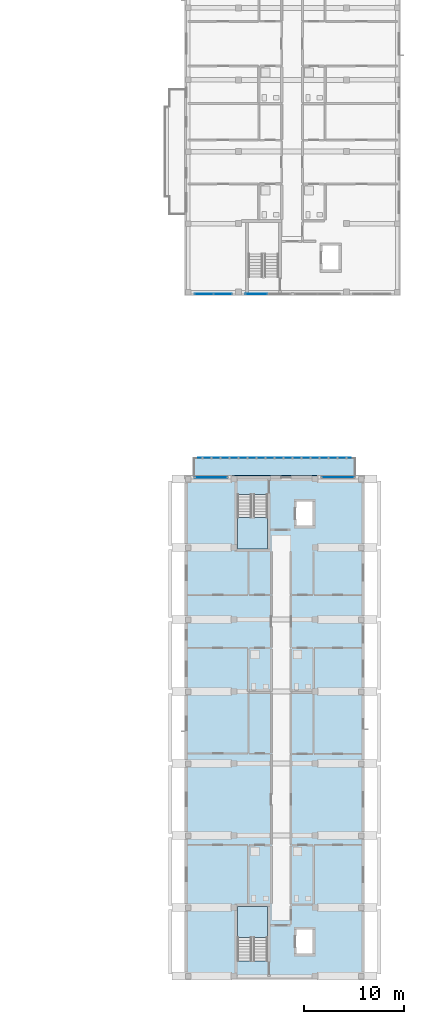
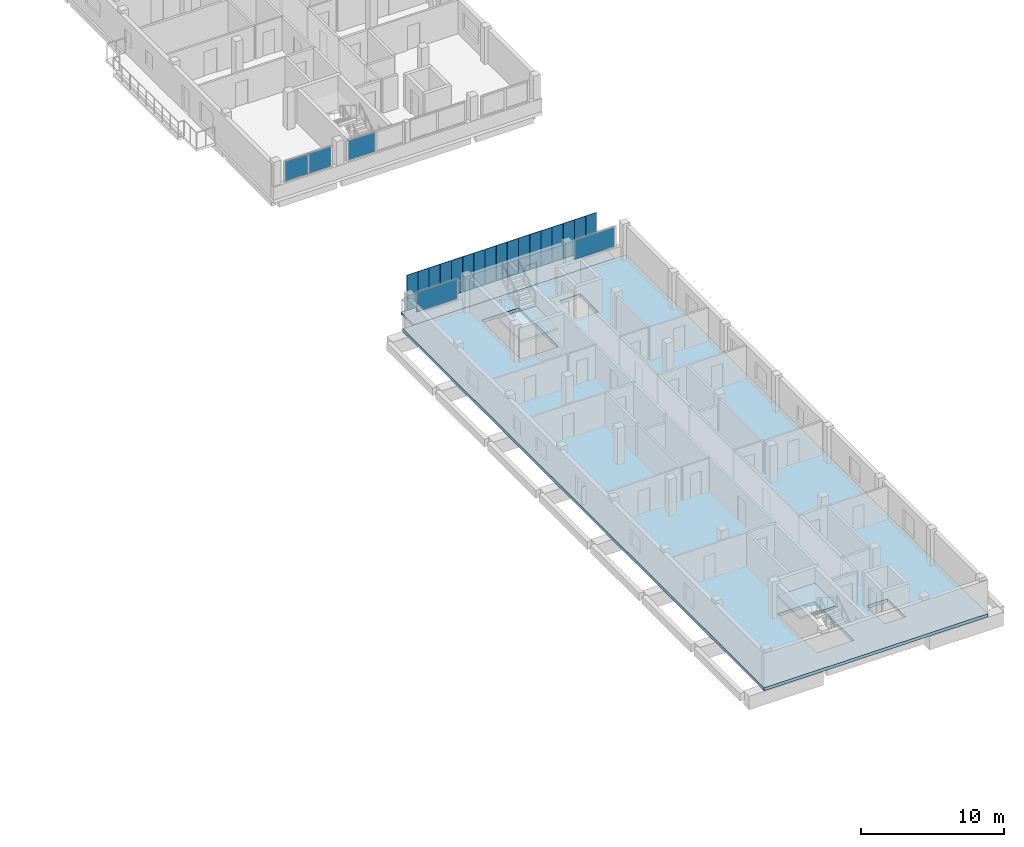
# One storey, part 11 of 41: 22 plates, 4 slabs, 6 elements without a shape of their own.
"""IFC4 building model written with IfcOpenShell, lengths in metres."""

from ifc_helpers import new_model, si_unit, derived_unit, direction, frame, origin, origin_2d, place, context, subcontext, project, spatial, polyline, rectangle, outline, extrude, material, layer, layer_set, type_object, element, aggregate, save


model = new_model("IFC4")

# Units and contexts
model_context = context("Model", 3, precision=1e-05, world=origin(), true_north=direction((0.0, 1.0)))
body_context = subcontext(model_context, "Body", "Model", "MODEL_VIEW")
ifc_project = project(units=[si_unit("LENGTHUNIT", "METRE"), si_unit("AREAUNIT", "SQUARE_METRE"), si_unit("VOLUMEUNIT", "CUBIC_METRE"), si_unit("PLANEANGLEUNIT", "RADIAN"), si_unit("MASSUNIT", "GRAM", prefix="KILO"), derived_unit("THERMALTRANSMITTANCEUNIT", [(si_unit("MASSUNIT", "GRAM", prefix="KILO"), 1), (si_unit("TIMEUNIT", "SECOND"), -3), (si_unit("THERMODYNAMICTEMPERATUREUNIT", "KELVIN"), -1)])], contexts=[model_context])

# Site, building, storey
site_placement = place(None, origin())
site = spatial("IfcSite", under=ifc_project, at=site_placement, CompositionType="ELEMENT")
building_placement = place(site_placement, origin())
building = spatial("IfcBuilding", under=site, at=building_placement, Name="Ochrekiln Boulevard Commons", CompositionType="ELEMENT")
storey_placement = place(building_placement, frame((0.0, 0.0, 21.52490234375)))
storey = spatial("IfcBuildingStorey", under=building, at=storey_placement, Name="L06", CompositionType="ELEMENT", Elevation=21.52490234375)

# Curtain wall, plate
ifc_material_1 = material(Name="Bronze-anodized extruded aluminium 6063-T6", Category="aluminium")
ifc_layer_1 = layer(ifc_material_1, 0.18408203125)
ifc_layer_set_1 = layer_set([ifc_layer_1], Name="Bronze-anodized extruded aluminium 6063-T6")
curtain_wall_type = type_object("IfcCurtainWallType", Name="CW-GABLE-B", PredefinedType="USERDEFINED", material=ifc_layer_set_1)
curtain_wall_1_placement = place(storey_placement, origin())
curtain_wall_1 = element("IfcCurtainWall", 1, at=curtain_wall_1_placement, inside=storey, type_object=curtain_wall_type, Name="Block B L06 Courtyard Glazed Gable Curtain Wall 2", ObjectType="GLAZED CURTAIN WALL", PredefinedType="USERDEFINED")
ifc_material_2 = material(Name="Spectrally selective low-E insulated glazing", Category="glass")
ifc_layer_2 = layer(ifc_material_2, 0.02392578125)
ifc_layer_set_2 = layer_set([ifc_layer_2], Name="Spectrally selective low-E insulated glazing")
plate_type_1 = type_object("IfcPlateType", Name="CWP-GLZ-1", PredefinedType="CURTAIN_PANEL", material=ifc_layer_set_2)
plate_1_placement = place(storey_placement, frame((158.38134765625, 68.570068359375, 1.175048828125), z_axis=(0.0, 0.0, 1.0), x_axis=(1.0, 0.0, 0.0)))
plate_1 = element("IfcPlate", 2, at=plate_1_placement, type_object=plate_type_1, Name="CW-02 panel 1.1", PredefinedType="CURTAIN_PANEL", context=body_context, shape_type="SweptSolid", body=[
    extrude(rectangle(XDim=2.1923828125, YDim=0.02392578125, at=origin_2d()), origin(), (0.0, 0.0, 1.0), 1.64990234375),
])
aggregate(curtain_wall_1, [plate_1])

curtain_wall_2_placement = place(storey_placement, origin())
curtain_wall_2 = element("IfcCurtainWall", 3, at=curtain_wall_2_placement, inside=storey, type_object=curtain_wall_type, Name="Block C L06 Courtyard Glazed Gable Curtain Wall 2", ObjectType="GLAZED CURTAIN WALL", PredefinedType="USERDEFINED")
plate_2_placement = place(storey_placement, frame((166.550048828125, 50.235107421875, 1.175048828125), z_axis=(0.0, 0.0, 1.0), x_axis=(1.0, 0.0, 0.0)))
plate_2 = element("IfcPlate", 4, at=plate_2_placement, type_object=plate_type_1, Name="CW-02 panel 1.1", PredefinedType="CURTAIN_PANEL", context=body_context, shape_type="SweptSolid", body=[
    extrude(rectangle(XDim=3.22998046875, YDim=0.02392578125, at=origin_2d()), origin(), (0.0, 0.0, 1.0), 1.64990234375),
])
aggregate(curtain_wall_2, [plate_2])

# Curtain wall, plates
curtain_wall_3_placement = place(storey_placement, origin())
curtain_wall_3 = element("IfcCurtainWall", 5, at=curtain_wall_3_placement, inside=storey, type_object=curtain_wall_type, Name="Block B L06 Courtyard Glazed Gable Curtain Wall 1", ObjectType="GLAZED CURTAIN WALL", PredefinedType="USERDEFINED")
ifc_layer_3 = layer(ifc_material_2, 0.0419921875)
ifc_layer_set_3 = layer_set([ifc_layer_3], Name="Spectrally selective low-E insulated glazing")
plate_type_2 = type_object("IfcPlateType", Name="CWP-GLZ-4", PredefinedType="CURTAIN_PANEL", material=ifc_layer_set_3)
plate_3_placement = place(storey_placement, frame((153.137451171875, 68.570068359375, 1.169921875), z_axis=(0.0, 0.0, 1.0), x_axis=(1.0, 0.0, 0.0)))
plate_3 = element("IfcPlate", 6, at=plate_3_placement, type_object=plate_type_2, Name="CW-02 panel 1.1", PredefinedType="CURTAIN_PANEL", context=body_context, shape_type="SweptSolid", body=[
    extrude(rectangle(XDim=1.81494140625, YDim=0.0419921875, at=origin_2d()), origin(), (0.0, 0.0, 1.0), 1.659912109375),
])
plate_4_placement = place(storey_placement, frame((155.012451171875, 68.570068359375, 1.169921875), z_axis=(0.0, 0.0, 1.0), x_axis=(1.0, 0.0, 0.0)))
plate_4 = element("IfcPlate", 7, at=plate_4_placement, type_object=plate_type_2, Name="CW-02 panel 2.1", PredefinedType="CURTAIN_PANEL", context=body_context, shape_type="SweptSolid", body=[
    extrude(rectangle(XDim=1.81494140625, YDim=0.0419921875, at=origin_2d()), origin(), (0.0, 0.0, 1.0), 1.659912109375),
])
aggregate(curtain_wall_3, [plate_3, plate_4])

# Curtain wall, plate
curtain_wall_4_placement = place(storey_placement, origin())
curtain_wall_4 = element("IfcCurtainWall", 8, at=curtain_wall_4_placement, inside=storey, type_object=curtain_wall_type, Name="Block C L06 Courtyard Glazed Gable Curtain Wall 1", ObjectType="GLAZED CURTAIN WALL", PredefinedType="USERDEFINED")
plate_5_placement = place(storey_placement, frame((153.85009765625, 50.235107421875, 1.175048828125), z_axis=(0.0, 0.0, 1.0), x_axis=(1.0, 0.0, 0.0)))
plate_5 = element("IfcPlate", 9, at=plate_5_placement, type_object=plate_type_2, Name="CW-02 panel 1.1", PredefinedType="CURTAIN_PANEL", context=body_context, shape_type="SweptSolid", body=[
    extrude(rectangle(XDim=3.22998046875, YDim=0.0419921875, at=origin_2d()), origin(), (0.0, 0.0, 1.0), 1.64990234375),
])
aggregate(curtain_wall_4, [plate_5])

# Plates
ifc_layer_4 = layer(ifc_material_1, 0.0380859375)
ifc_layer_set_4 = layer_set([ifc_layer_4], Name="Bronze-anodized extruded aluminium 6063-T6")
plate_type_3 = type_object("IfcPlateType", Name="PLT-SCR-BRZ-4", PredefinedType="USERDEFINED", material=ifc_layer_set_4)
for number, where, z_axis, x_axis, name in (
    (10, (153.0, 52.18994140625, -0.159912109375), (0.0, 0.0, 1.0), (1.0, 0.0, 0.0), "Block C L06 Perforated Bronze Mesh Screen Panel 1"),
    (11, (153.89990234375, 52.18994140625, -0.159912109375), (0.0, 0.0, 1.0), (1.0, 0.0, 0.0), "Block C L06 Perforated Bronze Mesh Screen Panel 2"),
    (12, (154.800048828125, 52.18994140625, -0.159912109375), (0.0, 0.0, 1.0), (1.0, 0.0, 0.0), "Block C L06 Perforated Bronze Mesh Screen Panel 3"),
    (13, (155.699951171875, 52.18994140625, -0.159912109375), (0.0, 0.0, 1.0), (1.0, 0.0, 0.0), "Block C L06 Perforated Bronze Mesh Screen Panel 4"),
    (14, (156.60009765625, 52.18994140625, -0.159912109375), (0.0, 0.0, 1.0), (1.0, 0.0, 0.0), "Block C L06 Perforated Bronze Mesh Screen Panel 5"),
    (15, (157.5, 52.18994140625, -0.159912109375), (0.0, 0.0, 1.0), (1.0, 0.0, 0.0), "Block C L06 Perforated Bronze Mesh Screen Panel 6"),
    (16, (158.39990234375, 52.18994140625, -0.159912109375), (0.0, 0.0, 1.0), (1.0, 0.0, 0.0), "Block C L06 Perforated Bronze Mesh Screen Panel 7"),
    (17, (159.300048828125, 52.18994140625, -0.159912109375), (0.0, 0.0, 1.0), (1.0, 0.0, 0.0), "Block C L06 Perforated Bronze Mesh Screen Panel 8"),
    (18, (160.199951171875, 52.18994140625, -0.159912109375), (0.0, 0.0, 1.0), (1.0, 0.0, 0.0), "Block C L06 Perforated Bronze Mesh Screen Panel 9"),
    (19, (161.10009765625, 52.18994140625, -0.159912109375), (0.0, 0.0, 1.0), (1.0, 0.0, 0.0), "Block C L06 Perforated Bronze Mesh Screen Panel 10"),
    (20, (162.0, 52.18994140625, -0.159912109375), (0.0, 0.0, 1.0), (1.0, 0.0, 0.0), "Block C L06 Perforated Bronze Mesh Screen Panel 11"),
    (21, (162.89990234375, 52.18994140625, -0.159912109375), (0.0, 0.0, 1.0), (1.0, 0.0, 0.0), "Block C L06 Perforated Bronze Mesh Screen Panel 12"),
    (22, (163.800048828125, 52.18994140625, -0.159912109375), (0.0, 0.0, 1.0), (1.0, 0.0, 0.0), "Block C L06 Perforated Bronze Mesh Screen Panel 13"),
    (23, (164.699951171875, 52.18994140625, -0.159912109375), (0.0, 0.0, 1.0), (1.0, 0.0, 0.0), "Block C L06 Perforated Bronze Mesh Screen Panel 14"),
    (24, (165.60009765625, 52.18994140625, -0.159912109375), (0.0, 0.0, 1.0), (1.0, 0.0, 0.0), "Block C L06 Perforated Bronze Mesh Screen Panel 15"),
    (25, (166.5, 52.18994140625, -0.159912109375), (0.0, 0.0, 1.0), (1.0, 0.0, 0.0), "Block C L06 Perforated Bronze Mesh Screen Panel 16"),
    (26, (167.39990234375, 52.18994140625, -0.159912109375), (0.0, 0.0, 1.0), (1.0, 0.0, 0.0), "Block C L06 Perforated Bronze Mesh Screen Panel 17"),
):
    element("IfcPlate", number, at=place(storey_placement, frame(where, z_axis=z_axis, x_axis=x_axis)), inside=storey, type_object=plate_type_3, Name=name, ObjectType="SCREEN", PredefinedType="USERDEFINED", context=body_context, shape_type="SweptSolid", body=[
        extrude(rectangle(XDim=0.8798828125, YDim=0.0380859375, at=origin_2d()), origin(), (0.0, 0.0, 1.0), 3.14990234375),
    ])

# Slab
ifc_material_3 = material(Name="Concrete C35/45", Category="concrete")
ifc_layer_5 = layer(ifc_material_3, 0.219970703125)
ifc_layer_set_5 = layer_set([ifc_layer_5], Name="Concrete C35/45")
slab_type_1 = type_object("IfcSlabType", Name="SLB-BAL-220", PredefinedType="FLOOR", material=ifc_layer_set_5)
slab_1_placement = place(storey_placement, frame((0.0, 0.0, -0.219970703125)))
element("IfcSlab", 27, at=slab_1_placement, inside=storey, type_object=slab_type_1, Name="Block C L06 Screened North Courtyard Balcony Slab", PredefinedType="FLOOR", context=body_context, shape_type="SweptSolid", body=[
    extrude(outline(polyline([(152.10009765625, 50.39990234375), (168.300048828125, 50.39990234375), (168.300048828125, 52.199951171875), (152.10009765625, 52.199951171875), (152.10009765625, 50.39990234375)])), origin(), (0.0, 0.0, 1.0), 0.219970703125),
])

# Stair, slab
stair_type = type_object("IfcStairType", Name="STR-DL-315", PredefinedType="TWO_STRAIGHT_RUN_STAIR", material=ifc_material_3)
stair_1_placement = place(storey_placement, origin())
stair_1 = element("IfcStair", 28, at=stair_1_placement, inside=storey, type_object=stair_type, Name="L06 Enclosed Exit Stair ST-C1", PredefinedType="TWO_STRAIGHT_RUN_STAIR")
ifc_layer_6 = layer(ifc_material_3, 0.199951171875)
ifc_layer_set_6 = layer_set([ifc_layer_6], Name="Concrete C35/45")
slab_type_2 = type_object("IfcSlabType", Name="SLB-LND-200", PredefinedType="LANDING", material=ifc_layer_set_6)
slab_2_placement = place(storey_placement, frame((0.0, 0.0, 1.375)))
slab_2 = element("IfcSlab", 29, at=slab_2_placement, type_object=slab_type_2, Name="ST-C1 landing 1", PredefinedType="LANDING", context=body_context, shape_type="SweptSolid", body=[
    extrude(outline(polyline([(159.5, 4.18994140625), (159.5, 7.320068359375), (156.5, 7.320068359375), (156.5, 4.18994140625), (159.5, 4.18994140625)])), origin(), (0.0, 0.0, 1.0), 0.2001953125),
])
aggregate(stair_1, [slab_2])

stair_2_placement = place(storey_placement, origin())
stair_2 = element("IfcStair", 30, at=stair_2_placement, inside=storey, type_object=stair_type, Name="L06 Enclosed Exit Stair ST-C2", PredefinedType="TWO_STRAIGHT_RUN_STAIR")
slab_3_placement = place(storey_placement, frame((0.0, 0.0, 1.375)))
slab_3 = element("IfcSlab", 31, at=slab_3_placement, type_object=slab_type_2, Name="ST-C2 landing 1", PredefinedType="LANDING", context=body_context, shape_type="SweptSolid", body=[
    extrude(outline(polyline([(156.5, 46.2099609375), (156.5, 43.080078125), (159.5, 43.080078125), (159.5, 46.2099609375), (156.5, 46.2099609375)])), origin(), (0.0, 0.0, 1.0), 0.2001953125),
])
aggregate(stair_2, [slab_3])

# Slab
ifc_layer_7 = layer(ifc_material_3, 0.260009765625)
ifc_layer_set_7 = layer_set([ifc_layer_7], Name="Concrete C35/45")
slab_type_3 = type_object("IfcSlabType", Name="SLB-RES-260", PredefinedType="FLOOR", material=ifc_layer_set_7)
slab_4_placement = place(storey_placement, frame((0.0, 0.0, -0.260009765625)))
element("IfcSlab", 32, at=slab_4_placement, inside=storey, type_object=slab_type_3, Name="Block C L06 Reinforced Concrete Floor Slab", PredefinedType="FLOOR", context=body_context, shape_type="SweptSolid", body=[
    extrude(outline(polyline([(151.199951171875, 0.0), (169.199951171875, 0.0), (169.199951171875, 50.39990234375), (151.199951171875, 50.39990234375), (151.199951171875, 0.0)]), holes=[polyline([(159.5, 1.87060546875), (159.5, 7.320068359375), (156.5, 7.320068359375), (156.5, 1.87060546875), (159.5, 1.87060546875)]), polyline([(156.5, 48.529541015625), (156.5, 43.080078125), (159.5, 43.080078125), (159.5, 48.529541015625), (156.5, 48.529541015625)]), polyline([(162.35009765625, 2.550048828125), (164.050048828125, 2.550048828125), (164.050048828125, 5.050048828125), (162.35009765625, 5.050048828125), (162.35009765625, 2.550048828125)]), polyline([(162.35009765625, 45.35009765625), (164.050048828125, 45.35009765625), (164.050048828125, 47.85009765625), (162.35009765625, 47.85009765625), (162.35009765625, 45.35009765625)])]), origin(), (0.0, 0.0, 1.0), 0.260009765625),
])

save(model, "model.ifc")
